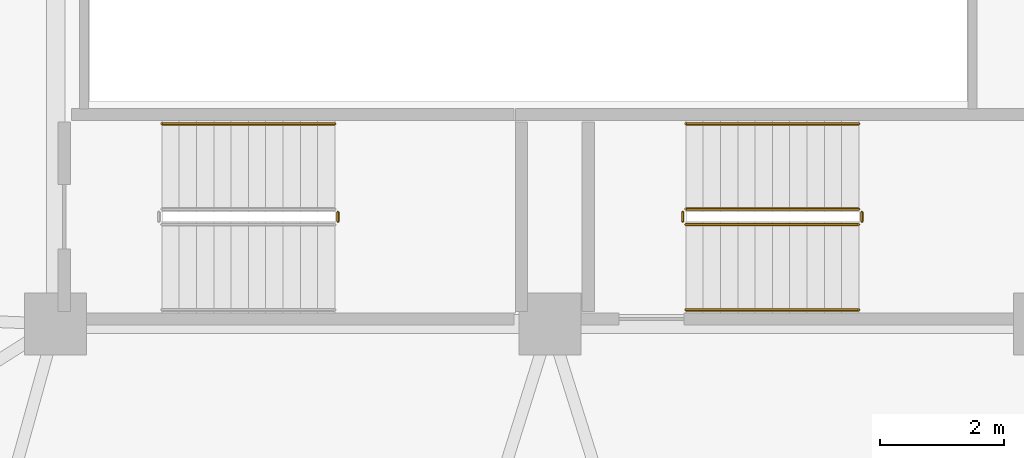
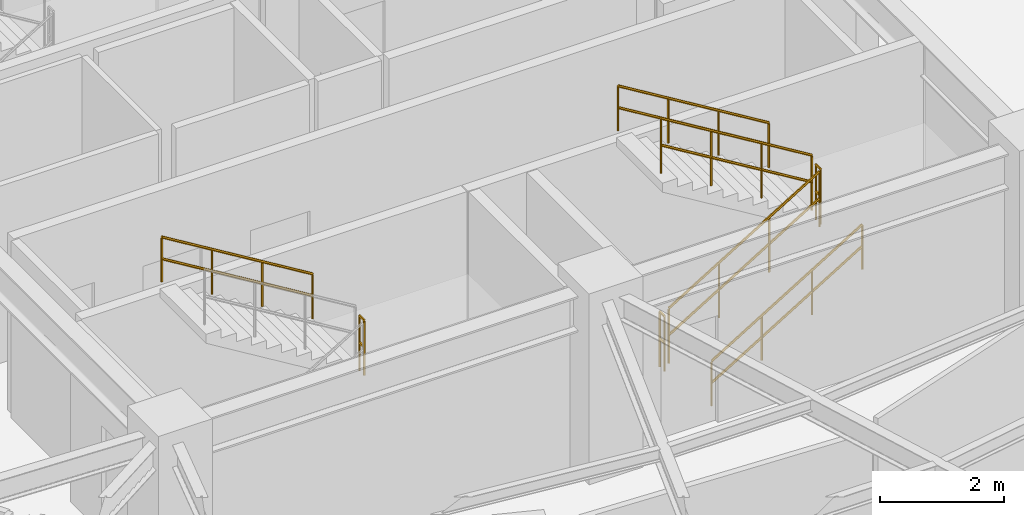
# One storey, part 29 of 31: 8 railings.
"""IFC4 building model written with IfcOpenShell, lengths in metres."""

from ifc_helpers import new_model, si_unit, direction, frame, origin, place, context, subcontext, project, spatial, polyline, outline, extrude, material, type_object, element, save


model = new_model("IFC4")

# Units and contexts
model_context = context("Model", 3, precision=1e-05, world=origin(), true_north=direction((0.0, 1.0)))
body_context = subcontext(model_context, "Body", "Model", "MODEL_VIEW")
ifc_project = project(units=[si_unit("LENGTHUNIT", "METRE"), si_unit("AREAUNIT", "SQUARE_METRE"), si_unit("VOLUMEUNIT", "CUBIC_METRE"), si_unit("PLANEANGLEUNIT", "RADIAN"), si_unit("MASSUNIT", "GRAM", prefix="KILO")], contexts=[model_context])

# Site, building, storey
site_placement = place(None, origin())
site = spatial("IfcSite", under=ifc_project, at=site_placement, CompositionType="ELEMENT")
building_placement = place(site_placement, origin())
building = spatial("IfcBuilding", under=site, at=building_placement, Name="Kelanora Arch Commons", CompositionType="ELEMENT")
storey_placement = place(building_placement, frame((0.0, 0.0, 226.949951171875)))
storey = spatial("IfcBuildingStorey", under=building, at=storey_placement, Name="L58", CompositionType="ELEMENT", Elevation=226.949951171875)

# Railings
ifc_material_1 = material(Name="Painted steel stair well guard", Category="steel")
railing_type_1 = type_object("IfcRailingType", Name="RAIL-STAIR-GRD", PredefinedType="GUARDRAIL", material=ifc_material_1)
railing_1_placement = place(storey_placement, frame((76.199951171875, 52.610107421875, 0.17041015625)))
element("IfcRailing", 1, at=railing_1_placement, inside=storey, type_object=railing_type_1, Name="L58 ST-T2 stair guard 1", PredefinedType="GUARDRAIL", context=body_context, shape_type="SweptSolid", body=[
    extrude(outline(polyline([(0.02392578125, 0.0), (0.011962890625, 0.020751953125), (-0.011962890625, 0.020751953125), (-0.02392578125, 0.0), (-0.011962890625, -0.020751953125), (0.011962890625, -0.020751953125), (0.02392578125, 0.0)])), frame((0.0, 0.0, 1.076171875), z_axis=(0.854169791009, 0.0, 0.51999420009), x_axis=(0.0, 1.0, 0.0)), (0.0, 0.0, 1.0), 3.278076171875),
    extrude(outline(polyline([(0.02392578125, 0.0), (0.011962890625, 0.020751953125), (-0.011962890625, 0.020751953125), (-0.02392578125, 0.0), (-0.011962890625, -0.020751953125), (0.011962890625, -0.020751953125), (0.02392578125, 0.0)])), frame((0.0, 0.0, 0.550048828125), z_axis=(0.854169791009, 0.0, 0.51999420009), x_axis=(0.0, 1.0, 0.0)), (0.0, 0.0, 1.0), 3.278076171875),
    extrude(outline(polyline([(0.02099609375, 0.0), (0.010498046875, 0.01806640625), (-0.010498046875, 0.01806640625), (-0.02099609375, 0.0), (-0.010498046875, -0.01806640625), (0.010498046875, -0.01806640625), (0.02099609375, 0.0)])), origin(), (0.0, 0.0, 1.0), 1.052001953125),
    extrude(outline(polyline([(0.02099609375, 0.0), (0.010498046875, 0.01806640625), (-0.010498046875, 0.01806640625), (-0.02099609375, 0.0), (-0.010498046875, -0.01806640625), (0.010498046875, -0.01806640625), (0.02099609375, 0.0)])), frame((0.933349609375, 0.0, 0.568115234375)), (0.0, 0.0, 1.0), 1.052001953125),
    extrude(outline(polyline([(0.02099609375, 0.0), (0.010498046875, 0.01806640625), (-0.010498046875, 0.01806640625), (-0.02099609375, 0.0), (-0.010498046875, -0.01806640625), (0.010498046875, -0.01806640625), (0.02099609375, 0.0)])), frame((1.86669921875, 0.0, 1.136474609375)), (0.0, 0.0, 1.0), 1.052001953125),
    extrude(outline(polyline([(0.02099609375, 0.0), (0.010498046875, 0.01806640625), (-0.010498046875, 0.01806640625), (-0.02099609375, 0.0), (-0.010498046875, -0.01806640625), (0.010498046875, -0.01806640625), (0.02099609375, 0.0)])), frame((2.800048828125, 0.0, 1.70458984375)), (0.0, 0.0, 1.0), 1.052001953125),
])
railing_2_placement = place(storey_placement, frame((79.050048828125, 52.659912109375, 1.875)))
element("IfcRailing", 2, at=railing_2_placement, inside=storey, type_object=railing_type_1, Name="L58 ST-T2 stair guard 2", PredefinedType="GUARDRAIL", context=body_context, shape_type="SweptSolid", body=[
    extrude(outline(polyline([(0.02392578125, 0.0), (0.011962890625, 0.020751953125), (-0.011962890625, 0.020751953125), (-0.02392578125, 0.0), (-0.011962890625, -0.020751953125), (0.011962890625, -0.020751953125), (0.02392578125, 0.0)])), frame((0.0, 0.0, 1.076171875), z_axis=(0.0, 1.0, 0.0), x_axis=(-1.0, 0.0, 0.0)), (0.0, 0.0, 1.0), 0.150146484375),
    extrude(outline(polyline([(0.02392578125, 0.0), (0.011962890625, 0.020751953125), (-0.011962890625, 0.020751953125), (-0.02392578125, 0.0), (-0.011962890625, -0.020751953125), (0.011962890625, -0.020751953125), (0.02392578125, 0.0)])), frame((0.0, 0.0, 0.550048828125), z_axis=(0.0, 1.0, 0.0), x_axis=(-1.0, 0.0, 0.0)), (0.0, 0.0, 1.0), 0.150146484375),
    extrude(outline(polyline([(0.02099609375, 0.0), (0.010498046875, 0.01806640625), (-0.010498046875, 0.01806640625), (-0.02099609375, 0.0), (-0.010498046875, -0.01806640625), (0.010498046875, -0.01806640625), (0.02099609375, 0.0)])), origin(), (0.0, 0.0, 1.0), 1.052001953125),
    extrude(outline(polyline([(0.02099609375, 0.0), (0.010498046875, 0.01806640625), (-0.010498046875, 0.01806640625), (-0.02099609375, 0.0), (-0.010498046875, -0.01806640625), (0.010498046875, -0.01806640625), (0.02099609375, 0.0)])), frame((0.0, 0.150146484375, 0.0)), (0.0, 0.0, 1.0), 1.052001953125),
])
railing_3_placement = place(storey_placement, frame((79.0, 52.860107421875, 2.04541015625)))
element("IfcRailing", 3, at=railing_3_placement, inside=storey, type_object=railing_type_1, Name="L58 ST-T2 stair guard 3", PredefinedType="GUARDRAIL", context=body_context, shape_type="SweptSolid", body=[
    extrude(outline(polyline([(0.02392578125, 0.0), (0.011962890625, 0.020751953125), (-0.011962890625, 0.020751953125), (-0.02392578125, 0.0), (-0.011962890625, -0.020751953125), (0.011962890625, -0.020751953125), (0.02392578125, 0.0)])), frame((0.0, 0.0, 1.076171875), z_axis=(-0.854169791009, 0.0, 0.51999420009), x_axis=(0.0, -1.0, 0.0)), (0.0, 0.0, 1.0), 3.278076171875),
    extrude(outline(polyline([(0.02392578125, 0.0), (0.011962890625, 0.020751953125), (-0.011962890625, 0.020751953125), (-0.02392578125, 0.0), (-0.011962890625, -0.020751953125), (0.011962890625, -0.020751953125), (0.02392578125, 0.0)])), frame((0.0, 0.0, 0.550048828125), z_axis=(-0.854169791009, 0.0, 0.51999420009), x_axis=(0.0, -1.0, 0.0)), (0.0, 0.0, 1.0), 3.278076171875),
    extrude(outline(polyline([(0.02099609375, 0.0), (0.010498046875, 0.01806640625), (-0.010498046875, 0.01806640625), (-0.02099609375, 0.0), (-0.010498046875, -0.01806640625), (0.010498046875, -0.01806640625), (0.02099609375, 0.0)])), origin(), (0.0, 0.0, 1.0), 1.052001953125),
    extrude(outline(polyline([(0.02099609375, 0.0), (0.010498046875, 0.01806640625), (-0.010498046875, 0.01806640625), (-0.02099609375, 0.0), (-0.010498046875, -0.01806640625), (0.010498046875, -0.01806640625), (0.02099609375, 0.0)])), frame((-0.933349609375, 0.0, 0.568115234375)), (0.0, 0.0, 1.0), 1.052001953125),
    extrude(outline(polyline([(0.02099609375, 0.0), (0.010498046875, 0.01806640625), (-0.010498046875, 0.01806640625), (-0.02099609375, 0.0), (-0.010498046875, -0.01806640625), (0.010498046875, -0.01806640625), (0.02099609375, 0.0)])), frame((-1.86669921875, 0.0, 1.136474609375)), (0.0, 0.0, 1.0), 1.052001953125),
    extrude(outline(polyline([(0.02099609375, 0.0), (0.010498046875, 0.01806640625), (-0.010498046875, 0.01806640625), (-0.02099609375, 0.0), (-0.010498046875, -0.01806640625), (0.010498046875, -0.01806640625), (0.02099609375, 0.0)])), frame((-2.800048828125, 0.0, 1.70458984375)), (0.0, 0.0, 1.0), 1.052001953125),
])
for number, where, name in (
    (4, (76.14990234375, 52.659912109375, 0.0), "L58 ST-T2 stair guard 4"),
    (5, (70.570068359375, 52.659912109375, 1.875), "L58 ST-T3 stair guard 2"),
):
    element("IfcRailing", number, at=place(storey_placement, frame(where)), inside=storey, type_object=railing_type_1, Name=name, PredefinedType="GUARDRAIL", context=body_context, shape_type="SweptSolid", body=[
        extrude(outline(polyline([(0.02392578125, 0.0), (0.011962890625, 0.020751953125), (-0.011962890625, 0.020751953125), (-0.02392578125, 0.0), (-0.011962890625, -0.020751953125), (0.011962890625, -0.020751953125), (0.02392578125, 0.0)])), frame((0.0, 0.0, 1.076171875), z_axis=(0.0, 1.0, 0.0), x_axis=(-1.0, 0.0, 0.0)), (0.0, 0.0, 1.0), 0.150146484375),
        extrude(outline(polyline([(0.02392578125, 0.0), (0.011962890625, 0.020751953125), (-0.011962890625, 0.020751953125), (-0.02392578125, 0.0), (-0.011962890625, -0.020751953125), (0.011962890625, -0.020751953125), (0.02392578125, 0.0)])), frame((0.0, 0.0, 0.550048828125), z_axis=(0.0, 1.0, 0.0), x_axis=(-1.0, 0.0, 0.0)), (0.0, 0.0, 1.0), 0.150146484375),
        extrude(outline(polyline([(0.02099609375, 0.0), (0.010498046875, 0.01806640625), (-0.010498046875, 0.01806640625), (-0.02099609375, 0.0), (-0.010498046875, -0.01806640625), (0.010498046875, -0.01806640625), (0.02099609375, 0.0)])), origin(), (0.0, 0.0, 1.0), 1.052001953125),
        extrude(outline(polyline([(0.02099609375, 0.0), (0.010498046875, 0.01806640625), (-0.010498046875, 0.01806640625), (-0.02099609375, 0.0), (-0.010498046875, -0.01806640625), (0.010498046875, -0.01806640625), (0.02099609375, 0.0)])), frame((0.0, 0.150146484375, 0.0)), (0.0, 0.0, 1.0), 1.052001953125),
    ])
ifc_material_2 = material(Name="Brushed stainless steel stair handrail", Category="steel")
railing_type_2 = type_object("IfcRailingType", Name="RAIL-STAIR-HND", PredefinedType="HANDRAIL", material=ifc_material_2)
railing_4_placement = place(storey_placement, frame((76.199951171875, 51.22998046875, 0.17041015625)))
element("IfcRailing", 6, at=railing_4_placement, inside=storey, type_object=railing_type_2, Name="L58 ST-T2 stair handrail 1", PredefinedType="HANDRAIL", context=body_context, shape_type="SweptSolid", body=[
    extrude(outline(polyline([(0.02392578125, 0.0), (0.011962890625, 0.020751953125), (-0.011962890625, 0.020751953125), (-0.02392578125, 0.0), (-0.011962890625, -0.020751953125), (0.011962890625, -0.020751953125), (0.02392578125, 0.0)])), frame((0.0, 0.0, 0.8759765625), z_axis=(0.854169791009, 0.0, 0.51999420009), x_axis=(0.0, 1.0, 0.0)), (0.0, 0.0, 1.0), 3.278076171875),
    extrude(outline(polyline([(0.02392578125, 0.0), (0.011962890625, 0.020751953125), (-0.011962890625, 0.020751953125), (-0.02392578125, 0.0), (-0.011962890625, -0.020751953125), (0.011962890625, -0.020751953125), (0.02392578125, 0.0)])), frame((0.0, 0.0, 0.449951171875), z_axis=(0.854169791009, 0.0, 0.51999420009), x_axis=(0.0, 1.0, 0.0)), (0.0, 0.0, 1.0), 3.278076171875),
    extrude(outline(polyline([(0.02099609375, 0.0), (0.010498046875, 0.01806640625), (-0.010498046875, 0.01806640625), (-0.02099609375, 0.0), (-0.010498046875, -0.01806640625), (0.010498046875, -0.01806640625), (0.02099609375, 0.0)])), origin(), (0.0, 0.0, 1.0), 0.851806640625),
    extrude(outline(polyline([(0.02099609375, 0.0), (0.010498046875, 0.01806640625), (-0.010498046875, 0.01806640625), (-0.02099609375, 0.0), (-0.010498046875, -0.01806640625), (0.010498046875, -0.01806640625), (0.02099609375, 0.0)])), frame((0.933349609375, 0.0, 0.568115234375)), (0.0, 0.0, 1.0), 0.851806640625),
    extrude(outline(polyline([(0.02099609375, 0.0), (0.010498046875, 0.01806640625), (-0.010498046875, 0.01806640625), (-0.02099609375, 0.0), (-0.010498046875, -0.01806640625), (0.010498046875, -0.01806640625), (0.02099609375, 0.0)])), frame((1.86669921875, 0.0, 1.136474609375)), (0.0, 0.0, 1.0), 0.851806640625),
    extrude(outline(polyline([(0.02099609375, 0.0), (0.010498046875, 0.01806640625), (-0.010498046875, 0.01806640625), (-0.02099609375, 0.0), (-0.010498046875, -0.01806640625), (0.010498046875, -0.01806640625), (0.02099609375, 0.0)])), frame((2.800048828125, 0.0, 1.70458984375)), (0.0, 0.0, 1.0), 0.851806640625),
])
railing_5_placement = place(storey_placement, frame((79.0, 54.239990234375, 2.04541015625)))
element("IfcRailing", 7, at=railing_5_placement, inside=storey, type_object=railing_type_2, Name="L58 ST-T2 stair handrail 2", PredefinedType="HANDRAIL", context=body_context, shape_type="SweptSolid", body=[
    extrude(outline(polyline([(0.02392578125, 0.0), (0.011962890625, 0.020751953125), (-0.011962890625, 0.020751953125), (-0.02392578125, 0.0), (-0.011962890625, -0.020751953125), (0.011962890625, -0.020751953125), (0.02392578125, 0.0)])), frame((0.0, 0.0, 0.8759765625), z_axis=(-0.854169791009, 0.0, 0.51999420009), x_axis=(0.0, -1.0, 0.0)), (0.0, 0.0, 1.0), 3.278076171875),
    extrude(outline(polyline([(0.02392578125, 0.0), (0.011962890625, 0.020751953125), (-0.011962890625, 0.020751953125), (-0.02392578125, 0.0), (-0.011962890625, -0.020751953125), (0.011962890625, -0.020751953125), (0.02392578125, 0.0)])), frame((0.0, 0.0, 0.449951171875), z_axis=(-0.854169791009, 0.0, 0.51999420009), x_axis=(0.0, -1.0, 0.0)), (0.0, 0.0, 1.0), 3.278076171875),
    extrude(outline(polyline([(0.02099609375, 0.0), (0.010498046875, 0.01806640625), (-0.010498046875, 0.01806640625), (-0.02099609375, 0.0), (-0.010498046875, -0.01806640625), (0.010498046875, -0.01806640625), (0.02099609375, 0.0)])), origin(), (0.0, 0.0, 1.0), 0.851806640625),
    extrude(outline(polyline([(0.02099609375, 0.0), (0.010498046875, 0.01806640625), (-0.010498046875, 0.01806640625), (-0.02099609375, 0.0), (-0.010498046875, -0.01806640625), (0.010498046875, -0.01806640625), (0.02099609375, 0.0)])), frame((-0.933349609375, 0.0, 0.568115234375)), (0.0, 0.0, 1.0), 0.851806640625),
    extrude(outline(polyline([(0.02099609375, 0.0), (0.010498046875, 0.01806640625), (-0.010498046875, 0.01806640625), (-0.02099609375, 0.0), (-0.010498046875, -0.01806640625), (0.010498046875, -0.01806640625), (0.02099609375, 0.0)])), frame((-1.86669921875, 0.0, 1.136474609375)), (0.0, 0.0, 1.0), 0.851806640625),
    extrude(outline(polyline([(0.02099609375, 0.0), (0.010498046875, 0.01806640625), (-0.010498046875, 0.01806640625), (-0.02099609375, 0.0), (-0.010498046875, -0.01806640625), (0.010498046875, -0.01806640625), (0.02099609375, 0.0)])), frame((-2.800048828125, 0.0, 1.70458984375)), (0.0, 0.0, 1.0), 0.851806640625),
])
railing_6_placement = place(storey_placement, frame((70.52001953125, 54.239990234375, 2.04541015625)))
element("IfcRailing", 8, at=railing_6_placement, inside=storey, type_object=railing_type_2, Name="L58 ST-T3 stair handrail 2", PredefinedType="HANDRAIL", context=body_context, shape_type="SweptSolid", body=[
    extrude(outline(polyline([(0.02392578125, 0.0), (0.011962890625, 0.020751953125), (-0.011962890625, 0.020751953125), (-0.02392578125, 0.0), (-0.011962890625, -0.020751953125), (0.011962890625, -0.020751953125), (0.02392578125, 0.0)])), frame((0.0, 0.0, 0.8759765625), z_axis=(-0.854169791009, 0.0, 0.51999420009), x_axis=(0.0, -1.0, 0.0)), (0.0, 0.0, 1.0), 3.278076171875),
    extrude(outline(polyline([(0.02392578125, 0.0), (0.011962890625, 0.020751953125), (-0.011962890625, 0.020751953125), (-0.02392578125, 0.0), (-0.011962890625, -0.020751953125), (0.011962890625, -0.020751953125), (0.02392578125, 0.0)])), frame((0.0, 0.0, 0.449951171875), z_axis=(-0.854169791009, 0.0, 0.51999420009), x_axis=(0.0, -1.0, 0.0)), (0.0, 0.0, 1.0), 3.278076171875),
    extrude(outline(polyline([(0.02099609375, 0.0), (0.010498046875, 0.01806640625), (-0.010498046875, 0.01806640625), (-0.02099609375, 0.0), (-0.010498046875, -0.01806640625), (0.010498046875, -0.01806640625), (0.02099609375, 0.0)])), origin(), (0.0, 0.0, 1.0), 0.851806640625),
    extrude(outline(polyline([(0.02099609375, 0.0), (0.010498046875, 0.01806640625), (-0.010498046875, 0.01806640625), (-0.02099609375, 0.0), (-0.010498046875, -0.01806640625), (0.010498046875, -0.01806640625), (0.02099609375, 0.0)])), frame((-0.933349609375, 0.0, 0.568115234375)), (0.0, 0.0, 1.0), 0.851806640625),
    extrude(outline(polyline([(0.02099609375, 0.0), (0.010498046875, 0.01806640625), (-0.010498046875, 0.01806640625), (-0.02099609375, 0.0), (-0.010498046875, -0.01806640625), (0.010498046875, -0.01806640625), (0.02099609375, 0.0)])), frame((-1.86669921875, 0.0, 1.136474609375)), (0.0, 0.0, 1.0), 0.851806640625),
    extrude(outline(polyline([(0.02099609375, 0.0), (0.010498046875, 0.01806640625), (-0.010498046875, 0.01806640625), (-0.02099609375, 0.0), (-0.010498046875, -0.01806640625), (0.010498046875, -0.01806640625), (0.02099609375, 0.0)])), frame((-2.800048828125, 0.0, 1.70458984375)), (0.0, 0.0, 1.0), 0.851806640625),
])

save(model, "model.ifc")
